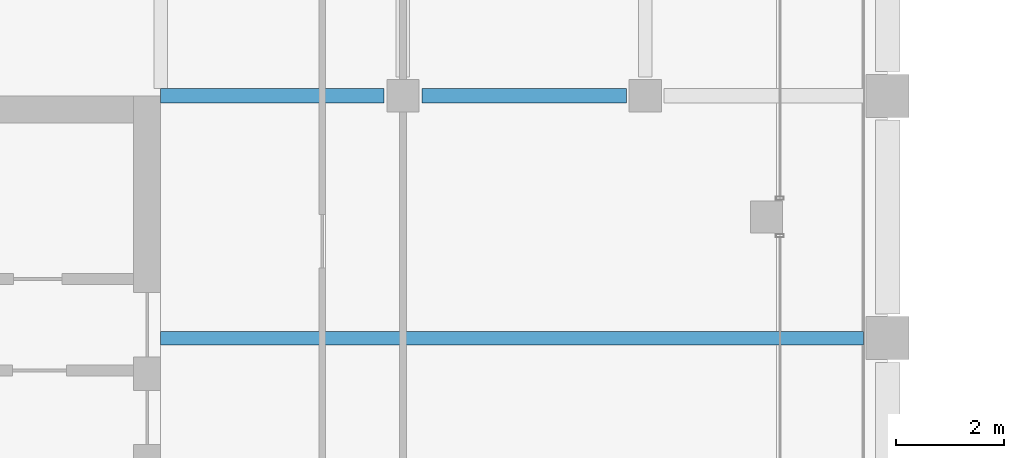
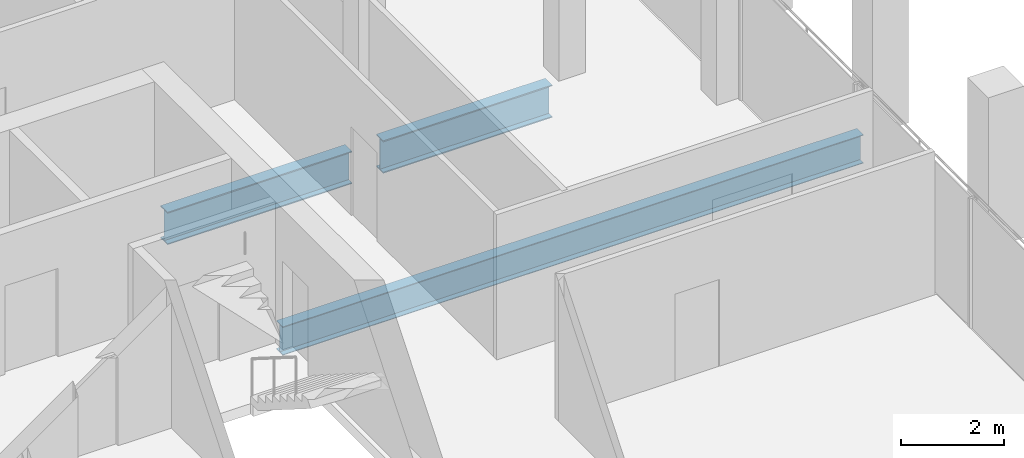
# One storey, part 18 of 40: 3 beams.
"""IFC4 building model written with IfcOpenShell, lengths in metres."""

import ifcopenshell
import ifcopenshell.guid

model = None  # the IFC model being written
_history = None  # IfcOwnerHistory: only IFC2X3 demands one
_inside = {}  # id of a spatial element -> (the spatial element, [elements in it])
_under = {}  # id of a project, library or spatial element -> (it, [spatial elements below it])
_declared = {}  # id of a project -> (the project, [libraries it declares])
_typed = {}  # id of a type object -> (the type object, [elements of that type])
_made_of = {}  # id of a material, layer set ... -> (it, [elements and type objects made of it])


def new_model(schema):
    """Start an empty IFC model of exactly this schema.

    Asked for "IFC4X3", IfcOpenShell would pick the latest addendum, in which some entities
    have other attributes; the version numbers below select the first issue.
    IFC2X3 requires an IfcOwnerHistory on every rooted entity: one is made here for all.
    """
    global model, _history
    if schema == "IFC4X3":
        model = ifcopenshell.file(schema_version=(4, 3, 0, 0))
    else:
        model = ifcopenshell.file(schema=schema)
    _inside.clear()
    _under.clear()
    _declared.clear()
    _typed.clear()
    _made_of.clear()
    _history = None
    if model.schema == "IFC2X3":
        org = make("IfcOrganization", Name="unknown")
        user = make(
            "IfcPersonAndOrganization",
            ThePerson=make("IfcPerson", FamilyName="unknown"),
            TheOrganization=org,
        )
        app = make(
            "IfcApplication",
            ApplicationDeveloper=org,
            Version="unknown",
            ApplicationFullName="unknown",
            ApplicationIdentifier="unknown",
        )
        _history = make(
            "IfcOwnerHistory",
            OwningUser=user,
            OwningApplication=app,
            ChangeAction="ADDED",
            CreationDate=0,
        )
    return model


def make(cls, **values):
    """One entity of the class cls with the attributes given. An attribute that is None is left unset."""
    return model.create_entity(
        cls, **{name: value for name, value in values.items() if value is not None}
    )


def rooted(cls, **values):
    """An entity with a GlobalId (a new one), such as an element, a storey or a relation."""
    return make(cls, GlobalId=ifcopenshell.guid.new(), OwnerHistory=_history, **values)


def si_unit(unit_type, name, prefix=None):
    """IfcSIUnit, for example si_unit("LENGTHUNIT", "METRE", prefix="MILLI")."""
    return make("IfcSIUnit", UnitType=unit_type, Prefix=prefix, Name=name)


def assignment(units):
    """IfcUnitAssignment: the units of a project."""
    return None if units is None else make("IfcUnitAssignment", Units=units)


def point(xyz):
    """IfcCartesianPoint."""
    return None if xyz is None else make("IfcCartesianPoint", Coordinates=xyz)


def direction(xyz):
    """IfcDirection."""
    return None if xyz is None else make("IfcDirection", DirectionRatios=xyz)


def frame(location, z_axis=None, x_axis=None):
    """IfcAxis2Placement3D, a coordinate frame: its origin and axes. An axis left out is left unset."""
    return make(
        "IfcAxis2Placement3D",
        Location=point(location),
        Axis=direction(z_axis),
        RefDirection=direction(x_axis),
    )


def frame_2d(location, x_axis=None):
    """IfcAxis2Placement2D, a coordinate frame in the plane: its origin and x axis."""
    return make(
        "IfcAxis2Placement2D", Location=point(location), RefDirection=direction(x_axis)
    )


def origin():
    """The frame at (0, 0, 0) with its axes left unset."""
    return frame((0.0, 0.0, 0.0))


def origin_2d():
    """The frame at (0, 0) in the plane with its x axis left unset."""
    return frame_2d((0.0, 0.0))


def place(relative_to, where):
    """IfcLocalPlacement: puts the frame where relative to a parent placement (None: the world)."""
    return make(
        "IfcLocalPlacement", PlacementRelTo=relative_to, RelativePlacement=where
    )


def context(
    kind, dimensions, precision=None, world=None, true_north=None, identifier=None
):
    """IfcGeometricRepresentationContext, for example the 3D "Model" context."""
    return make(
        "IfcGeometricRepresentationContext",
        ContextIdentifier=identifier,
        ContextType=kind,
        CoordinateSpaceDimension=dimensions,
        Precision=precision,
        WorldCoordinateSystem=world,
        TrueNorth=true_north,
    )


def subcontext(parent, identifier, kind, view, scale=None):
    """IfcGeometricRepresentationSubContext, for example "Body" below "Model"."""
    return make(
        "IfcGeometricRepresentationSubContext",
        ContextIdentifier=identifier,
        ContextType=kind,
        ParentContext=parent,
        TargetScale=scale,
        TargetView=view,
    )


def project(units=None, contexts=None):
    """IfcProject with its units and contexts."""
    return rooted(
        "IfcProject",
        Name="project",
        RepresentationContexts=contexts,
        UnitsInContext=assignment(units),
    )


def spatial(cls, under=None, at=None, **own):
    """A site, building, storey or space (cls), placed at a placement, below another one or the project."""
    s = rooted(cls, ObjectPlacement=at, **own)
    if under is not None:
        _under.setdefault(under.id(), (under, []))[1].append(s)
    return s


def profile(cls, at=None, kind="AREA", **sizes):
    """A parametric profile (cls). Its sizes go by their IFC names, for example OverallWidth=200.0."""
    return make(cls, ProfileType=kind, Position=at, **sizes)


def i_section(**sizes):
    """IfcIShapeProfileDef."""
    return profile("IfcIShapeProfileDef", **sizes)


def extrude(swept, where, along, depth):
    """IfcExtrudedAreaSolid: the profile swept, set in the frame where, extruded along a direction by depth."""
    return make(
        "IfcExtrudedAreaSolid",
        SweptArea=swept,
        Position=where,
        ExtrudedDirection=direction(along),
        Depth=depth,
    )


def shape(context_of_items, identifier, shape_type, items):
    """IfcShapeRepresentation: the items that make up one representation, for example the "Body"."""
    return make(
        "IfcShapeRepresentation",
        ContextOfItems=context_of_items,
        RepresentationIdentifier=identifier,
        RepresentationType=shape_type,
        Items=items,
    )


def material(Name=None, Category=None):
    """IfcMaterial."""
    return make("IfcMaterial", Name=Name, Category=Category)


def material_profile(
    of_material, cross_section, Name=None, Category=None, Priority=None
):
    """IfcMaterialProfile: a cross section and its material."""
    return make(
        "IfcMaterialProfile",
        Name=Name,
        Material=of_material,
        Profile=cross_section,
        Priority=Priority,
        Category=Category,
    )


def profile_set(profiles, Name=None, composite=None):
    """IfcMaterialProfileSet."""
    return make(
        "IfcMaterialProfileSet",
        Name=Name,
        MaterialProfiles=profiles,
        CompositeProfile=composite,
    )


def made_of(thing, what):
    """Note that an element or type object is made of a material, layer set ...; save() writes the relation."""
    if what is not None:
        _made_of.setdefault(what.id(), (what, []))[1].append(thing)
    return thing


def type_object(cls, material=None, **own):
    """A type object (cls), such as IfcWallType, which elements share."""
    return made_of(rooted(cls, **own), material)


def element(
    cls,
    number,
    at=None,
    inside=None,
    cuts=None,
    type_object=None,
    material=None,
    context=None,
    identifier="Body",
    shape_type=None,
    held_by="IfcProductDefinitionShape",
    body=None,
    shapes=None,
    **own,
):
    """One element of the class cls, such as IfcWall. Its Tag is "e" and its number.

    at: its placement. inside: the storey or other place that contains it. cuts: it is an
    opening in that element (IfcRelVoidsElement). A single representation is given by context,
    identifier, shape_type and body (its items); several are given by shapes. held_by: the class
    of the entity that holds the representations. save() writes the other relations.
    """
    e = rooted(cls, Tag="e%d" % number, ObjectPlacement=at, **own)
    if body is not None:
        shapes = [shape(context, identifier, shape_type, body)]
    if shapes is not None:
        e.Representation = make(held_by, Representations=shapes)
    if inside is not None:
        _inside.setdefault(inside.id(), (inside, []))[1].append(e)
    if cuts is not None:
        rooted(
            "IfcRelVoidsElement", RelatingBuildingElement=cuts, RelatedOpeningElement=e
        )
    if type_object is not None:
        _typed.setdefault(type_object.id(), (type_object, []))[1].append(e)
    return made_of(e, material)


def aggregate(whole, parts):
    """IfcRelAggregates: a whole, such as a stair, and the parts it consists of."""
    return rooted("IfcRelAggregates", RelatingObject=whole, RelatedObjects=parts)


def save(model, path):
    """Write the relations noted so far, then the file.

    IfcRelAggregates (storeys below a building ...), IfcRelContainedInSpatialStructure (elements
    in a storey), IfcRelDefinesByType, IfcRelAssociatesMaterial and IfcRelDeclares: one each for
    every whole, place, type object, material and project.
    """
    for whole, parts in _under.values():
        aggregate(whole, parts)
    for where, things in _inside.values():
        rooted(
            "IfcRelContainedInSpatialStructure",
            RelatedElements=things,
            RelatingStructure=where,
        )
    for kind, things in _typed.values():
        rooted("IfcRelDefinesByType", RelatedObjects=things, RelatingType=kind)
    for what, things in _made_of.values():
        rooted("IfcRelAssociatesMaterial", RelatedObjects=things, RelatingMaterial=what)
    for by, libraries in _declared.values():
        rooted("IfcRelDeclares", RelatingContext=by, RelatedDefinitions=libraries)
    model.write(path)


model = new_model("IFC4")

# Units and contexts
model_context = context("Model", 3, precision=1e-05, world=origin(), true_north=direction((0.0, 1.0)))
body_context = subcontext(model_context, "Body", "Model", "MODEL_VIEW")
ifc_project = project(units=[si_unit("LENGTHUNIT", "METRE"), si_unit("AREAUNIT", "SQUARE_METRE"), si_unit("VOLUMEUNIT", "CUBIC_METRE"), si_unit("PLANEANGLEUNIT", "RADIAN"), si_unit("MASSUNIT", "GRAM", prefix="KILO")], contexts=[model_context])

# Site, building, storey
site_placement = place(None, origin())
site = spatial("IfcSite", under=ifc_project, at=site_placement, CompositionType="ELEMENT")
building_placement = place(site_placement, origin())
building = spatial("IfcBuilding", under=site, at=building_placement, Name="Altepetl Exchange Towers", CompositionType="ELEMENT")
storey_placement = place(building_placement, frame((0.0, 0.0, 195.60009765625)))
storey = spatial("IfcBuildingStorey", under=building, at=storey_placement, Name="L49", CompositionType="ELEMENT", Elevation=195.60009765625)

# Beams
ifc_material = material(Name="Steel S355", Category="steel")
ifc_material_profile_1 = material_profile(ifc_material, i_section(OverallWidth=0.2529296875, OverallDepth=0.677978515625, WebThickness=0.01171875, FlangeThickness=0.016357421875, at=origin_2d()), Name="W27X84")
ifc_profile_set_1 = profile_set([ifc_material_profile_1], Name="Steel S355")
beam_type_1 = type_object("IfcBeamType", Name="Floor beam W27X84", PredefinedType="BEAM", material=ifc_profile_set_1)
beam_1_placement = place(storey_placement, frame((58.5, 54.0, -0.489013671875), z_axis=(1.0, 0.0, 0.0), x_axis=(0.0, 1.0, 0.0)))
element("IfcBeam", 1, at=beam_1_placement, inside=storey, type_object=beam_type_1, Name="bm:A:L49:011", PredefinedType="BEAM", context=body_context, shape_type="SweptSolid", body=[
    extrude(i_section(OverallWidth=0.2529296875, OverallDepth=0.677978515625, WebThickness=0.01171875, FlangeThickness=0.016357421875, at=origin_2d()), origin(), (0.0, 0.0, 1.0), 13.050048828125),
])
ifc_material_profile_2 = material_profile(ifc_material, i_section(OverallWidth=0.26806640625, OverallDepth=0.77392578125, WebThickness=0.015380859375, FlangeThickness=0.025390625, at=origin_2d()), Name="W30X132")
ifc_profile_set_2 = profile_set([ifc_material_profile_2], Name="Steel S355")
beam_type_2 = type_object("IfcBeamType", Name="Girder W30X132", PredefinedType="BEAM", material=ifc_profile_set_2)
beam_2_placement = place(storey_placement, frame((58.5, 58.5, -0.537109375), z_axis=(1.0, 0.0, 0.0), x_axis=(0.0, 1.0, 0.0)))
element("IfcBeam", 2, at=beam_2_placement, inside=storey, type_object=beam_type_2, Name="gd:A:L49:000", PredefinedType="BEAM", context=body_context, shape_type="SweptSolid", body=[
    extrude(i_section(OverallWidth=0.26806640625, OverallDepth=0.77392578125, WebThickness=0.015380859375, FlangeThickness=0.025390625, at=origin_2d()), origin(), (0.0, 0.0, 1.0), 4.14990234375),
])
beam_3_placement = place(storey_placement, frame((63.35009765625, 58.5, -0.537109375), z_axis=(1.0, 0.0, 0.0), x_axis=(0.0, 1.0, 0.0)))
element("IfcBeam", 3, at=beam_3_placement, inside=storey, type_object=beam_type_2, Name="gd:A:L49:001", PredefinedType="BEAM", context=body_context, shape_type="SweptSolid", body=[
    extrude(i_section(OverallWidth=0.26806640625, OverallDepth=0.77392578125, WebThickness=0.015380859375, FlangeThickness=0.025390625, at=origin_2d()), origin(), (0.0, 0.0, 1.0), 3.7998046875),
])

save(model, "model.ifc")
